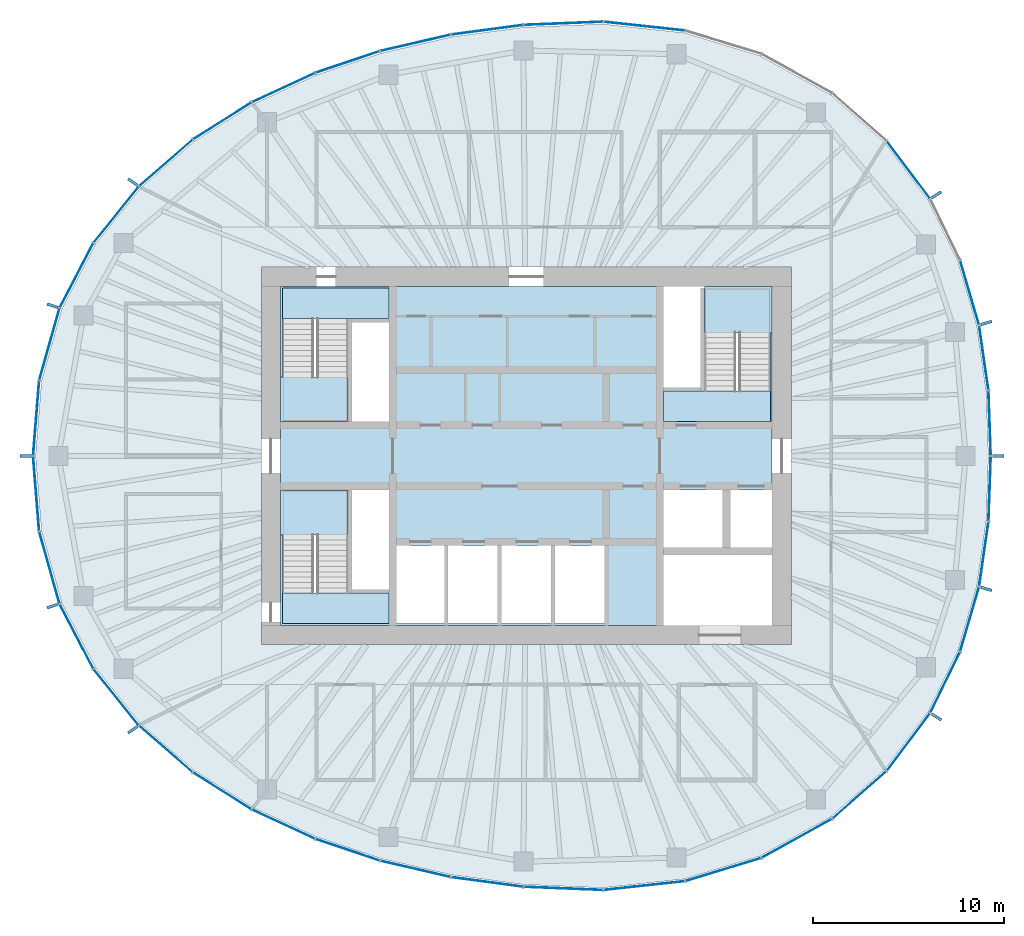
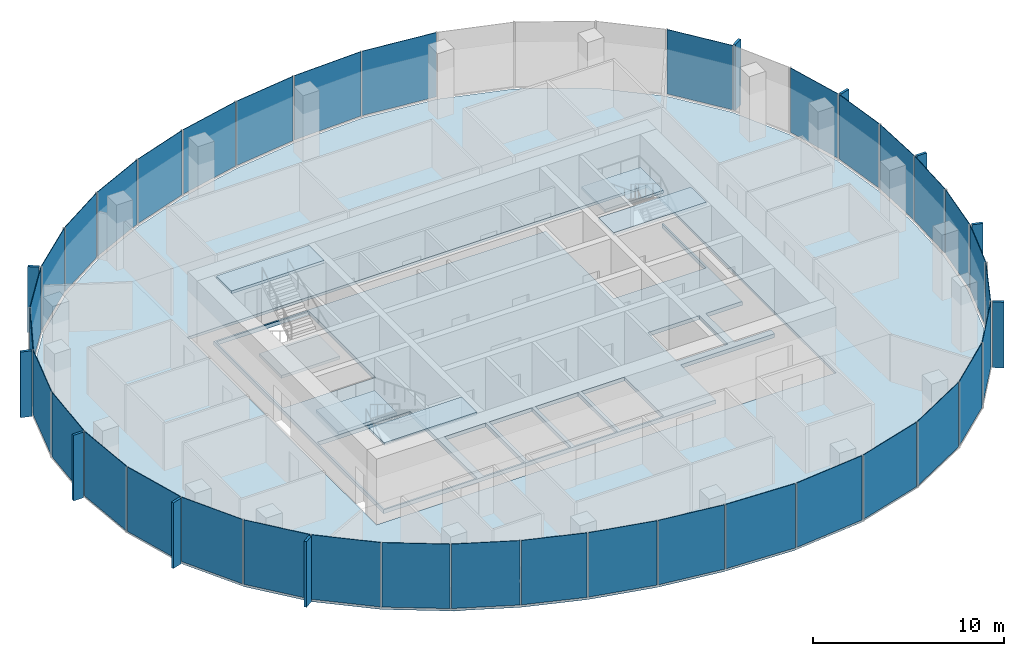
# One storey, part 7 of 12: 46 plates, 8 slabs, 22 elements without a shape of their own.
"""IFC4 building model written with IfcOpenShell, lengths in metres."""

from ifc_helpers import new_model, si_unit, direction, frame, origin, origin_2d, place, context, subcontext, project, spatial, polyline, rectangle, outline, extrude, material, layer, layer_set, type_object, element, aggregate, save


model = new_model("IFC4")

# Units and contexts
model_context = context("Model", 3, precision=1e-05, world=origin(), true_north=direction((0.0, 1.0)))
body_context = subcontext(model_context, "Body", "Model", "MODEL_VIEW")
ifc_project = project(units=[si_unit("LENGTHUNIT", "METRE"), si_unit("AREAUNIT", "SQUARE_METRE"), si_unit("VOLUMEUNIT", "CUBIC_METRE"), si_unit("PLANEANGLEUNIT", "RADIAN"), si_unit("MASSUNIT", "GRAM", prefix="KILO")], contexts=[model_context])

# Site, building, storey
site_placement = place(None, origin())
site = spatial("IfcSite", under=ifc_project, at=site_placement, CompositionType="ELEMENT")
building_placement = place(site_placement, origin())
building = spatial("IfcBuilding", under=site, at=building_placement, Name="Ghaith Harvest Tower", CompositionType="ELEMENT")
storey_placement = place(building_placement, frame((0.0, 0.0, 304.800048828125)))
storey = spatial("IfcBuildingStorey", under=building, at=storey_placement, Name="L68", CompositionType="ELEMENT", Elevation=304.800048828125)

# Curtain wall, plates
ifc_material_1 = material(Name="Black anodised aluminium and fritted glass", Category="aluminium")
curtain_wall_type = type_object("IfcCurtainWallType", Name="CW-T CURTAIN WALL", PredefinedType="NOTDEFINED", material=ifc_material_1)
curtain_wall_1_placement = place(storey_placement, origin())
curtain_wall_1 = element("IfcCurtainWall", 1, at=curtain_wall_1_placement, inside=storey, type_object=curtain_wall_type, Name="Curtain wall CW-T bay 01 L68", PredefinedType="NOTDEFINED")
ifc_material_2 = material(Name="Glass, dark solar-control fritted double glazed unit", Category="glass")
ifc_layer_1 = layer(ifc_material_2, 0.033935546875)
ifc_layer_set_1 = layer_set([ifc_layer_1], Name="CW-T VISION PANEL")
plate_type_1 = type_object("IfcPlateType", Name="CW-T VISION PANEL", PredefinedType="CURTAIN_PANEL", material=ifc_layer_set_1)
plate_1_placement = place(storey_placement, frame((24.308837890625, 1.716796875, 0.079833984375), z_axis=(0.0, 0.0, 1.0), x_axis=(-0.035536161859, 0.999368391135, 0.0)))
plate_1 = element("IfcPlate", 2, at=plate_1_placement, type_object=plate_type_1, Name="CW-T glass unit 1 bay 01 L68", PredefinedType="CURTAIN_PANEL", context=body_context, shape_type="SweptSolid", body=[
    extrude(rectangle(XDim=3.35595703125, YDim=0.033935546875, at=origin_2d()), origin(), (0.0, 0.0, 1.0), 4.1201171875),
])
plate_2_placement = place(storey_placement, frame((24.00048828125, 5.1494140625, 0.079833984375), z_axis=(0.0, 0.0, 1.0), x_axis=(-0.142729771229, 0.989761694755, 0.0)))
plate_2 = element("IfcPlate", 3, at=plate_2_placement, type_object=plate_type_1, Name="CW-T glass unit 2 bay 01 L68", PredefinedType="CURTAIN_PANEL", context=body_context, shape_type="SweptSolid", body=[
    extrude(rectangle(XDim=3.38671875, YDim=0.033935546875, at=origin_2d()), origin(), (0.0, 0.0, 1.0), 4.1201171875),
])
aggregate(curtain_wall_1, [plate_1, plate_2])

# Curtain wall, plate
curtain_wall_2_placement = place(storey_placement, origin())
curtain_wall_2 = element("IfcCurtainWall", 4, at=curtain_wall_2_placement, inside=storey, type_object=curtain_wall_type, Name="Curtain wall CW-T bay 02 L68", PredefinedType="NOTDEFINED")
plate_3_placement = place(storey_placement, frame((23.253662109375, 8.56884765625, 0.079833984375), z_axis=(0.0, 0.0, 1.0), x_axis=(-0.281344622776, 0.959606796159, 0.0)))
plate_3 = element("IfcPlate", 5, at=plate_3_placement, type_object=plate_type_1, Name="CW-T glass unit 1 bay 02 L68", PredefinedType="CURTAIN_PANEL", context=body_context, shape_type="SweptSolid", body=[
    extrude(rectangle(XDim=3.470703125, YDim=0.033935546875, at=origin_2d()), origin(), (0.0, 0.0, 1.0), 4.1201171875),
])
aggregate(curtain_wall_2, [plate_3])

curtain_wall_3_placement = place(storey_placement, origin())
curtain_wall_3 = element("IfcCurtainWall", 6, at=curtain_wall_3_placement, inside=storey, type_object=curtain_wall_type, Name="Curtain wall CW-T bay 03 L68", PredefinedType="NOTDEFINED")
plate_4_placement = place(storey_placement, frame((20.045166015625, 15.006103515625, 0.079833984375), z_axis=(0.0, 0.0, 1.0), x_axis=(-0.601047892764, 0.799213007029, 0.0)))
plate_4 = element("IfcPlate", 7, at=plate_4_placement, type_object=plate_type_1, Name="CW-T glass unit 1 bay 03 L68", PredefinedType="CURTAIN_PANEL", context=body_context, shape_type="SweptSolid", body=[
    extrude(rectangle(XDim=3.7265625, YDim=0.033935546875, at=origin_2d()), origin(), (0.0, 0.0, 1.0), 4.1201171875),
])
aggregate(curtain_wall_3, [plate_4])

# Curtain wall, plates
curtain_wall_4_placement = place(storey_placement, origin())
curtain_wall_4 = element("IfcCurtainWall", 8, at=curtain_wall_4_placement, inside=storey, type_object=curtain_wall_type, Name="Curtain wall CW-T bay 05 L68", PredefinedType="NOTDEFINED")
plate_5_placement = place(storey_placement, frame((6.188720703125, 22.542724609375, 0.079833984375), z_axis=(0.0, 0.0, 1.0), x_axis=(-0.994142883447, 0.108073712304, 0.0)))
plate_5 = element("IfcPlate", 9, at=plate_5_placement, type_object=plate_type_1, Name="CW-T glass unit 1 bay 05 L68", PredefinedType="CURTAIN_PANEL", context=body_context, shape_type="SweptSolid", body=[
    extrude(rectangle(XDim=4.24755859375, YDim=0.033935546875, at=origin_2d()), origin(), (0.0, 0.0, 1.0), 4.1201171875),
])
plate_6_placement = place(storey_placement, frame((1.94140625, 22.691162109375, 0.079833984375), z_axis=(0.0, 0.0, 1.0), x_axis=(-0.999173925852, -0.040638231968, 0.0)))
plate_6 = element("IfcPlate", 10, at=plate_6_placement, type_object=plate_type_1, Name="CW-T glass unit 2 bay 05 L68", PredefinedType="CURTAIN_PANEL", context=body_context, shape_type="SweptSolid", body=[
    extrude(rectangle(XDim=4.115966796875, YDim=0.033935546875, at=origin_2d()), origin(), (0.0, 0.0, 1.0), 4.1201171875),
])
aggregate(curtain_wall_4, [plate_5, plate_6])

curtain_wall_5_placement = place(storey_placement, origin())
curtain_wall_5 = element("IfcCurtainWall", 11, at=curtain_wall_5_placement, inside=storey, type_object=curtain_wall_type, Name="Curtain wall CW-T bay 06 L68", PredefinedType="NOTDEFINED")
plate_7_placement = place(storey_placement, frame((-2.050537109375, 22.352294921875, 0.079833984375), z_axis=(0.0, 0.0, 1.0), x_axis=(-0.991165262661, -0.132632658474, 0.0)))
plate_7 = element("IfcPlate", 12, at=plate_7_placement, type_object=plate_type_1, Name="CW-T glass unit 1 bay 06 L68", PredefinedType="CURTAIN_PANEL", context=body_context, shape_type="SweptSolid", body=[
    extrude(rectangle(XDim=3.74560546875, YDim=0.033935546875, at=origin_2d()), origin(), (0.0, 0.0, 1.0), 4.1201171875),
])
plate_8_placement = place(storey_placement, frame((-5.80859375, 21.66845703125, 0.079833984375), z_axis=(0.0, 0.0, 1.0), x_axis=(-0.974342245415, -0.225071519297, 0.0)))
plate_8 = element("IfcPlate", 13, at=plate_8_placement, type_object=plate_type_1, Name="CW-T glass unit 2 bay 06 L68", PredefinedType="CURTAIN_PANEL", context=body_context, shape_type="SweptSolid", body=[
    extrude(rectangle(XDim=3.742431640625, YDim=0.033935546875, at=origin_2d()), origin(), (0.0, 0.0, 1.0), 4.1201171875),
])
aggregate(curtain_wall_5, [plate_7, plate_8])

curtain_wall_6_placement = place(storey_placement, origin())
curtain_wall_6 = element("IfcCurtainWall", 14, at=curtain_wall_6_placement, inside=storey, type_object=curtain_wall_type, Name="Curtain wall CW-T bay 07 L68", PredefinedType="NOTDEFINED")
plate_9_placement = place(storey_placement, frame((-9.369140625, 20.665771484375, 0.079833984375), z_axis=(0.0, 0.0, 1.0), x_axis=(-0.947586403329, -0.319499621637, 0.0)))
plate_9 = element("IfcPlate", 15, at=plate_9_placement, type_object=plate_type_1, Name="CW-T glass unit 1 bay 07 L68", PredefinedType="CURTAIN_PANEL", context=body_context, shape_type="SweptSolid", body=[
    extrude(rectangle(XDim=3.50439453125, YDim=0.033935546875, at=origin_2d()), origin(), (0.0, 0.0, 1.0), 4.1201171875),
])
plate_10_placement = place(storey_placement, frame((-12.736083984375, 19.3203125, 0.079833984375), z_axis=(0.0, 0.0, 1.0), x_axis=(-0.907450165401, -0.420159728334, 0.0)))
plate_10 = element("IfcPlate", 16, at=plate_10_placement, type_object=plate_type_1, Name="CW-T glass unit 2 bay 07 L68", PredefinedType="CURTAIN_PANEL", context=body_context, shape_type="SweptSolid", body=[
    extrude(rectangle(XDim=3.597900390625, YDim=0.033935546875, at=origin_2d()), origin(), (0.0, 0.0, 1.0), 4.1201171875),
])
aggregate(curtain_wall_6, [plate_9, plate_10])

curtain_wall_7_placement = place(storey_placement, origin())
curtain_wall_7 = element("IfcCurtainWall", 17, at=curtain_wall_7_placement, inside=storey, type_object=curtain_wall_type, Name="Curtain wall CW-T bay 08 L68", PredefinedType="NOTDEFINED")
plate_11_placement = place(storey_placement, frame((-15.94970703125, 17.57421875, 0.079833984375), z_axis=(0.0, 0.0, 1.0), x_axis=(-0.846043473903, -0.533113909279, 0.0)))
plate_11 = element("IfcPlate", 18, at=plate_11_placement, type_object=plate_type_1, Name="CW-T glass unit 1 bay 08 L68", PredefinedType="CURTAIN_PANEL", context=body_context, shape_type="SweptSolid", body=[
    extrude(rectangle(XDim=3.572021484375, YDim=0.033935546875, at=origin_2d()), origin(), (0.0, 0.0, 1.0), 4.1201171875),
])
plate_12_placement = place(storey_placement, frame((-18.909423828125, 15.371337890625, 0.079833984375), z_axis=(0.0, 0.0, 1.0), x_axis=(-0.754828549513, -0.655922145411, 0.0)))
plate_12 = element("IfcPlate", 19, at=plate_12_placement, type_object=plate_type_1, Name="CW-T glass unit 2 bay 08 L68", PredefinedType="CURTAIN_PANEL", context=body_context, shape_type="SweptSolid", body=[
    extrude(rectangle(XDim=3.668701171875, YDim=0.033935546875, at=origin_2d()), origin(), (0.0, 0.0, 1.0), 4.1201171875),
])
aggregate(curtain_wall_7, [plate_11, plate_12])

curtain_wall_8_placement = place(storey_placement, origin())
curtain_wall_8 = element("IfcCurtainWall", 20, at=curtain_wall_8_placement, inside=storey, type_object=curtain_wall_type, Name="Curtain wall CW-T bay 09 L68", PredefinedType="NOTDEFINED")
plate_13_placement = place(storey_placement, frame((-21.515380859375, 12.6591796875, 0.079833984375), z_axis=(0.0, 0.0, 1.0), x_axis=(-0.626229505742, -0.779638766441, 0.0)))
plate_13 = element("IfcPlate", 21, at=plate_13_placement, type_object=plate_type_1, Name="CW-T glass unit 1 bay 09 L68", PredefinedType="CURTAIN_PANEL", context=body_context, shape_type="SweptSolid", body=[
    extrude(rectangle(XDim=3.723388671875, YDim=0.033935546875, at=origin_2d()), origin(), (0.0, 0.0, 1.0), 4.1201171875),
])
plate_14_placement = place(storey_placement, frame((-23.594482421875, 9.4677734375, 0.079833984375), z_axis=(0.0, 0.0, 1.0), x_axis=(-0.461229945578, -0.887280641794, 0.0)))
plate_14 = element("IfcPlate", 22, at=plate_14_placement, type_object=plate_type_1, Name="CW-T glass unit 2 bay 09 L68", PredefinedType="CURTAIN_PANEL", context=body_context, shape_type="SweptSolid", body=[
    extrude(rectangle(XDim=3.771728515625, YDim=0.033935546875, at=origin_2d()), origin(), (0.0, 0.0, 1.0), 4.1201171875),
])
aggregate(curtain_wall_8, [plate_13, plate_14])

curtain_wall_9_placement = place(storey_placement, origin())
curtain_wall_9 = element("IfcCurtainWall", 23, at=curtain_wall_9_placement, inside=storey, type_object=curtain_wall_type, Name="Curtain wall CW-T bay 10 L68", PredefinedType="NOTDEFINED")
plate_15_placement = place(storey_placement, frame((-25.017333984375, 5.85546875, 0.079833984375), z_axis=(0.0, 0.0, 1.0), x_axis=(-0.270355239749, -0.962760637095, 0.0)))
plate_15 = element("IfcPlate", 24, at=plate_15_placement, type_object=plate_type_1, Name="CW-T glass unit 1 bay 10 L68", PredefinedType="CURTAIN_PANEL", context=body_context, shape_type="SweptSolid", body=[
    extrude(rectangle(XDim=3.874267578125, YDim=0.033935546875, at=origin_2d()), origin(), (0.0, 0.0, 1.0), 4.1201171875),
])
plate_16_placement = place(storey_placement, frame((-25.7109375, 1.97607421875, 0.079833984375), z_axis=(0.0, 0.0, 1.0), x_axis=(-0.080257648011, -0.99677415192, 0.0)))
plate_16 = element("IfcPlate", 25, at=plate_16_placement, type_object=plate_type_1, Name="CW-T glass unit 2 bay 10 L68", PredefinedType="CURTAIN_PANEL", context=body_context, shape_type="SweptSolid", body=[
    extrude(rectangle(XDim=3.884765625, YDim=0.033935546875, at=origin_2d()), origin(), (0.0, 0.0, 1.0), 4.1201171875),
])
aggregate(curtain_wall_9, [plate_15, plate_16])

curtain_wall_10_placement = place(storey_placement, origin())
curtain_wall_10 = element("IfcCurtainWall", 26, at=curtain_wall_10_placement, inside=storey, type_object=curtain_wall_type, Name="Curtain wall CW-T bay 11 L68", PredefinedType="NOTDEFINED")
plate_17_placement = place(storey_placement, frame((-25.7109375, -1.97607421875, 0.079833984375), z_axis=(0.0, 0.0, 1.0), x_axis=(0.080257648324, -0.996774151895, 0.0)))
plate_17 = element("IfcPlate", 27, at=plate_17_placement, type_object=plate_type_1, Name="CW-T glass unit 1 bay 11 L68", PredefinedType="CURTAIN_PANEL", context=body_context, shape_type="SweptSolid", body=[
    extrude(rectangle(XDim=3.884765625, YDim=0.033935546875, at=origin_2d()), origin(), (0.0, 0.0, 1.0), 4.1201171875),
])
plate_18_placement = place(storey_placement, frame((-25.017333984375, -5.85546875, 0.079833984375), z_axis=(0.0, 0.0, 1.0), x_axis=(0.27035523953, -0.962760637157, 0.0)))
plate_18 = element("IfcPlate", 28, at=plate_18_placement, type_object=plate_type_1, Name="CW-T glass unit 2 bay 11 L68", PredefinedType="CURTAIN_PANEL", context=body_context, shape_type="SweptSolid", body=[
    extrude(rectangle(XDim=3.874267578125, YDim=0.033935546875, at=origin_2d()), origin(), (0.0, 0.0, 1.0), 4.1201171875),
])
aggregate(curtain_wall_10, [plate_17, plate_18])

curtain_wall_11_placement = place(storey_placement, origin())
curtain_wall_11 = element("IfcCurtainWall", 29, at=curtain_wall_11_placement, inside=storey, type_object=curtain_wall_type, Name="Curtain wall CW-T bay 12 L68", PredefinedType="NOTDEFINED")
plate_19_placement = place(storey_placement, frame((-23.594482421875, -9.4677734375, 0.079833984375), z_axis=(0.0, 0.0, 1.0), x_axis=(0.461229945377, -0.887280641898, 0.0)))
plate_19 = element("IfcPlate", 30, at=plate_19_placement, type_object=plate_type_1, Name="CW-T glass unit 1 bay 12 L68", PredefinedType="CURTAIN_PANEL", context=body_context, shape_type="SweptSolid", body=[
    extrude(rectangle(XDim=3.771728515625, YDim=0.033935546875, at=origin_2d()), origin(), (0.0, 0.0, 1.0), 4.1201171875),
])
plate_20_placement = place(storey_placement, frame((-21.515380859375, -12.6591796875, 0.079833984375), z_axis=(0.0, 0.0, 1.0), x_axis=(0.626229505565, -0.779638766583, 0.0)))
plate_20 = element("IfcPlate", 31, at=plate_20_placement, type_object=plate_type_1, Name="CW-T glass unit 2 bay 12 L68", PredefinedType="CURTAIN_PANEL", context=body_context, shape_type="SweptSolid", body=[
    extrude(rectangle(XDim=3.723388671875, YDim=0.033935546875, at=origin_2d()), origin(), (0.0, 0.0, 1.0), 4.1201171875),
])
aggregate(curtain_wall_11, [plate_19, plate_20])

curtain_wall_12_placement = place(storey_placement, origin())
curtain_wall_12 = element("IfcCurtainWall", 32, at=curtain_wall_12_placement, inside=storey, type_object=curtain_wall_type, Name="Curtain wall CW-T bay 13 L68", PredefinedType="NOTDEFINED")
plate_21_placement = place(storey_placement, frame((-18.909423828125, -15.371337890625, 0.079833984375), z_axis=(0.0, 0.0, 1.0), x_axis=(0.754828549376, -0.655922145569, 0.0)))
plate_21 = element("IfcPlate", 33, at=plate_21_placement, type_object=plate_type_1, Name="CW-T glass unit 1 bay 13 L68", PredefinedType="CURTAIN_PANEL", context=body_context, shape_type="SweptSolid", body=[
    extrude(rectangle(XDim=3.668701171875, YDim=0.033935546875, at=origin_2d()), origin(), (0.0, 0.0, 1.0), 4.1201171875),
])
plate_22_placement = place(storey_placement, frame((-15.94970703125, -17.57421875, 0.079833984375), z_axis=(0.0, 0.0, 1.0), x_axis=(0.846043474052, -0.533113909042, 0.0)))
plate_22 = element("IfcPlate", 34, at=plate_22_placement, type_object=plate_type_1, Name="CW-T glass unit 2 bay 13 L68", PredefinedType="CURTAIN_PANEL", context=body_context, shape_type="SweptSolid", body=[
    extrude(rectangle(XDim=3.572021484375, YDim=0.033935546875, at=origin_2d()), origin(), (0.0, 0.0, 1.0), 4.1201171875),
])
aggregate(curtain_wall_12, [plate_21, plate_22])

curtain_wall_13_placement = place(storey_placement, origin())
curtain_wall_13 = element("IfcCurtainWall", 35, at=curtain_wall_13_placement, inside=storey, type_object=curtain_wall_type, Name="Curtain wall CW-T bay 14 L68", PredefinedType="NOTDEFINED")
plate_23_placement = place(storey_placement, frame((-12.736083984375, -19.3203125, 0.079833984375), z_axis=(0.0, 0.0, 1.0), x_axis=(0.907450165812, -0.420159727447, 0.0)))
plate_23 = element("IfcPlate", 36, at=plate_23_placement, type_object=plate_type_1, Name="CW-T glass unit 1 bay 14 L68", PredefinedType="CURTAIN_PANEL", context=body_context, shape_type="SweptSolid", body=[
    extrude(rectangle(XDim=3.597900390625, YDim=0.033935546875, at=origin_2d()), origin(), (0.0, 0.0, 1.0), 4.1201171875),
])
plate_24_placement = place(storey_placement, frame((-9.369140625, -20.665771484375, 0.079833984375), z_axis=(0.0, 0.0, 1.0), x_axis=(0.947586403597, -0.319499620843, 0.0)))
plate_24 = element("IfcPlate", 37, at=plate_24_placement, type_object=plate_type_1, Name="CW-T glass unit 2 bay 14 L68", PredefinedType="CURTAIN_PANEL", context=body_context, shape_type="SweptSolid", body=[
    extrude(rectangle(XDim=3.50439453125, YDim=0.033935546875, at=origin_2d()), origin(), (0.0, 0.0, 1.0), 4.1201171875),
])
aggregate(curtain_wall_13, [plate_23, plate_24])

curtain_wall_14_placement = place(storey_placement, origin())
curtain_wall_14 = element("IfcCurtainWall", 38, at=curtain_wall_14_placement, inside=storey, type_object=curtain_wall_type, Name="Curtain wall CW-T bay 15 L68", PredefinedType="NOTDEFINED")
plate_25_placement = place(storey_placement, frame((-5.80859375, -21.66845703125, 0.079833984375), z_axis=(0.0, 0.0, 1.0), x_axis=(0.974342245521, -0.225071518838, 0.0)))
plate_25 = element("IfcPlate", 39, at=plate_25_placement, type_object=plate_type_1, Name="CW-T glass unit 1 bay 15 L68", PredefinedType="CURTAIN_PANEL", context=body_context, shape_type="SweptSolid", body=[
    extrude(rectangle(XDim=3.742431640625, YDim=0.033935546875, at=origin_2d()), origin(), (0.0, 0.0, 1.0), 4.1201171875),
])
plate_26_placement = place(storey_placement, frame((-2.050537109375, -22.352294921875, 0.079833984375), z_axis=(0.0, 0.0, 1.0), x_axis=(0.991165262684, -0.132632658301, 0.0)))
plate_26 = element("IfcPlate", 40, at=plate_26_placement, type_object=plate_type_1, Name="CW-T glass unit 2 bay 15 L68", PredefinedType="CURTAIN_PANEL", context=body_context, shape_type="SweptSolid", body=[
    extrude(rectangle(XDim=3.74560546875, YDim=0.033935546875, at=origin_2d()), origin(), (0.0, 0.0, 1.0), 4.1201171875),
])
aggregate(curtain_wall_14, [plate_25, plate_26])

curtain_wall_15_placement = place(storey_placement, origin())
curtain_wall_15 = element("IfcCurtainWall", 41, at=curtain_wall_15_placement, inside=storey, type_object=curtain_wall_type, Name="Curtain wall CW-T bay 16 L68", PredefinedType="NOTDEFINED")
plate_27_placement = place(storey_placement, frame((1.94140625, -22.691162109375, 0.079833984375), z_axis=(0.0, 0.0, 1.0), x_axis=(0.999173925863, -0.040638231706, 0.0)))
plate_27 = element("IfcPlate", 42, at=plate_27_placement, type_object=plate_type_1, Name="CW-T glass unit 1 bay 16 L68", PredefinedType="CURTAIN_PANEL", context=body_context, shape_type="SweptSolid", body=[
    extrude(rectangle(XDim=4.115966796875, YDim=0.033935546875, at=origin_2d()), origin(), (0.0, 0.0, 1.0), 4.1201171875),
])
plate_28_placement = place(storey_placement, frame((6.188720703125, -22.542724609375, 0.079833984375), z_axis=(0.0, 0.0, 1.0), x_axis=(0.994142883417, 0.108073712581, 0.0)))
plate_28 = element("IfcPlate", 43, at=plate_28_placement, type_object=plate_type_1, Name="CW-T glass unit 2 bay 16 L68", PredefinedType="CURTAIN_PANEL", context=body_context, shape_type="SweptSolid", body=[
    extrude(rectangle(XDim=4.24755859375, YDim=0.033935546875, at=origin_2d()), origin(), (0.0, 0.0, 1.0), 4.1201171875),
])
aggregate(curtain_wall_15, [plate_27, plate_28])

curtain_wall_16_placement = place(storey_placement, origin())
curtain_wall_16 = element("IfcCurtainWall", 44, at=curtain_wall_16_placement, inside=storey, type_object=curtain_wall_type, Name="Curtain wall CW-T bay 17 L68", PredefinedType="NOTDEFINED")
plate_29_placement = place(storey_placement, frame((10.337158203125, -21.700439453125, 0.079833984375), z_axis=(0.0, 0.0, 1.0), x_axis=(0.956587736012, 0.291444511548, 0.0)))
plate_29 = element("IfcPlate", 45, at=plate_29_placement, type_object=plate_type_1, Name="CW-T glass unit 1 bay 17 L68", PredefinedType="CURTAIN_PANEL", context=body_context, shape_type="SweptSolid", body=[
    extrude(rectangle(XDim=4.095703125, YDim=0.033935546875, at=origin_2d()), origin(), (0.0, 0.0, 1.0), 4.1201171875),
])
plate_30_placement = place(storey_placement, frame((14.19189453125, -20.06201171875, 0.079833984375), z_axis=(0.0, 0.0, 1.0), x_axis=(0.874564022715, 0.484910064004, 0.0)))
plate_30 = element("IfcPlate", 46, at=plate_30_placement, type_object=plate_type_1, Name="CW-T glass unit 2 bay 17 L68", PredefinedType="CURTAIN_PANEL", context=body_context, shape_type="SweptSolid", body=[
    extrude(rectangle(XDim=4.167724609375, YDim=0.033935546875, at=origin_2d()), origin(), (0.0, 0.0, 1.0), 4.1201171875),
])
aggregate(curtain_wall_16, [plate_29, plate_30])

curtain_wall_17_placement = place(storey_placement, origin())
curtain_wall_17 = element("IfcCurtainWall", 47, at=curtain_wall_17_placement, inside=storey, type_object=curtain_wall_type, Name="Curtain wall CW-T bay 18 L68", PredefinedType="NOTDEFINED")
plate_31_placement = place(storey_placement, frame((17.47509765625, -17.779541015625, 0.079833984375), z_axis=(0.0, 0.0, 1.0), x_axis=(0.751334532577, 0.659921525757, 0.0)))
plate_31 = element("IfcPlate", 48, at=plate_31_placement, type_object=plate_type_1, Name="CW-T glass unit 1 bay 18 L68", PredefinedType="CURTAIN_PANEL", context=body_context, shape_type="SweptSolid", body=[
    extrude(rectangle(XDim=3.7158203125, YDim=0.033935546875, at=origin_2d()), origin(), (0.0, 0.0, 1.0), 4.1201171875),
])
plate_32_placement = place(storey_placement, frame((20.045166015625, -15.006103515625, 0.079833984375), z_axis=(0.0, 0.0, 1.0), x_axis=(0.601047892945, 0.799213006892, 0.0)))
plate_32 = element("IfcPlate", 49, at=plate_32_placement, type_object=plate_type_1, Name="CW-T glass unit 2 bay 18 L68", PredefinedType="CURTAIN_PANEL", context=body_context, shape_type="SweptSolid", body=[
    extrude(rectangle(XDim=3.7265625, YDim=0.033935546875, at=origin_2d()), origin(), (0.0, 0.0, 1.0), 4.1201171875),
])
aggregate(curtain_wall_17, [plate_31, plate_32])

curtain_wall_18_placement = place(storey_placement, origin())
curtain_wall_18 = element("IfcCurtainWall", 50, at=curtain_wall_18_placement, inside=storey, type_object=curtain_wall_type, Name="Curtain wall CW-T bay 19 L68", PredefinedType="NOTDEFINED")
plate_33_placement = place(storey_placement, frame((21.9716796875, -11.878662109375, 0.079833984375), z_axis=(0.0, 0.0, 1.0), x_axis=(0.437968365352, 0.898990384237, 0.0)))
plate_33 = element("IfcPlate", 51, at=plate_33_placement, type_object=plate_type_1, Name="CW-T glass unit 1 bay 19 L68", PredefinedType="CURTAIN_PANEL", context=body_context, shape_type="SweptSolid", body=[
    extrude(rectangle(XDim=3.49365234375, YDim=0.033935546875, at=origin_2d()), origin(), (0.0, 0.0, 1.0), 4.1201171875),
])
plate_34_placement = place(storey_placement, frame((23.253662109375, -8.56884765625, 0.079833984375), z_axis=(0.0, 0.0, 1.0), x_axis=(0.281344622977, 0.9596067961, 0.0)))
plate_34 = element("IfcPlate", 52, at=plate_34_placement, type_object=plate_type_1, Name="CW-T glass unit 2 bay 19 L68", PredefinedType="CURTAIN_PANEL", context=body_context, shape_type="SweptSolid", body=[
    extrude(rectangle(XDim=3.470703125, YDim=0.033935546875, at=origin_2d()), origin(), (0.0, 0.0, 1.0), 4.1201171875),
])
aggregate(curtain_wall_18, [plate_33, plate_34])

curtain_wall_19_placement = place(storey_placement, origin())
curtain_wall_19 = element("IfcCurtainWall", 53, at=curtain_wall_19_placement, inside=storey, type_object=curtain_wall_type, Name="Curtain wall CW-T bay 20 L68", PredefinedType="NOTDEFINED")
plate_35_placement = place(storey_placement, frame((24.00048828125, -5.1494140625, 0.079833984375), z_axis=(0.0, 0.0, 1.0), x_axis=(0.142729771402, 0.98976169473, 0.0)))
plate_35 = element("IfcPlate", 54, at=plate_35_placement, type_object=plate_type_1, Name="CW-T glass unit 1 bay 20 L68", PredefinedType="CURTAIN_PANEL", context=body_context, shape_type="SweptSolid", body=[
    extrude(rectangle(XDim=3.38671875, YDim=0.033935546875, at=origin_2d()), origin(), (0.0, 0.0, 1.0), 4.1201171875),
])
plate_36_placement = place(storey_placement, frame((24.308837890625, -1.716796875, 0.079833984375), z_axis=(0.0, 0.0, 1.0), x_axis=(0.035536161929, 0.999368391133, 0.0)))
plate_36 = element("IfcPlate", 55, at=plate_36_placement, type_object=plate_type_1, Name="CW-T glass unit 2 bay 20 L68", PredefinedType="CURTAIN_PANEL", context=body_context, shape_type="SweptSolid", body=[
    extrude(rectangle(XDim=3.35595703125, YDim=0.033935546875, at=origin_2d()), origin(), (0.0, 0.0, 1.0), 4.1201171875),
])
aggregate(curtain_wall_19, [plate_35, plate_36])

# Slabs
ifc_material_3 = material(Name="Concrete C40/50", Category="concrete")
ifc_layer_2 = layer(ifc_material_3, 0.169921875)
ifc_layer_set_2 = layer_set([ifc_layer_2], Name="FLOOR SLAB 170")
slab_type_1 = type_object("IfcSlabType", Name="FLOOR SLAB 170", PredefinedType="FLOOR", material=ifc_layer_set_2)
slab_1_placement = place(storey_placement, frame((0.0, 0.0, -0.170166015625)))
element("IfcSlab", 56, at=slab_1_placement, inside=storey, type_object=slab_type_1, Name="Floor slab L68", PredefinedType="FLOOR", context=body_context, shape_type="SweptSolid", body=[
    extrude(outline(polyline([(24.25, 0.0), (24.129150390625, 3.4169921875), (23.6376953125, 6.831787109375), (22.644775390625, 10.222900390625), (21.087890625, 13.42041015625), (18.810791015625, 16.4482421875), (15.971923828125, 18.940185546875), (12.273681640625, 20.98828125), (8.2978515625, 22.1962890625), (4.016845703125, 22.658447265625), (-0.15380859375, 22.486083984375), (-3.92529296875, 21.98046875), (-7.6298828125, 21.12548828125), (-11.009521484375, 19.98779296875), (-14.331298828125, 18.452880859375), (-17.40771484375, 16.518310546875), (-20.225830078125, 14.0732421875), (-22.5986328125, 11.12353515625), (-24.368408203125, 7.722900390625), (-25.43310546875, 3.93359375), (-25.75, 0.0), (-25.43310546875, -3.93359375), (-24.368408203125, -7.722900390625), (-22.5986328125, -11.12353515625), (-20.225830078125, -14.0732421875), (-17.40771484375, -16.518310546875), (-14.331298828125, -18.452880859375), (-11.009521484375, -19.98779296875), (-7.6298828125, -21.12548828125), (-3.92529296875, -21.98046875), (-0.15380859375, -22.486083984375), (4.016845703125, -22.658447265625), (8.2978515625, -22.1962890625), (12.273681640625, -20.98828125), (15.971923828125, -18.940185546875), (18.810791015625, -16.4482421875), (21.087890625, -13.42041015625), (22.644775390625, -10.222900390625), (23.6376953125, -6.831787109375), (24.129150390625, -3.4169921875), (24.25, 0.0)]), holes=[polyline([(-13.89990234375, -9.89990234375), (13.89990234375, -9.89990234375), (13.89990234375, 9.89990234375), (-13.89990234375, 9.89990234375), (-13.89990234375, -9.89990234375)])]), origin(), (0.0, 0.0, 1.0), 0.170166015625),
])
ifc_material_4 = material(Name="Concrete C40/50", Category="concrete")
ifc_layer_3 = layer(ifc_material_4, 0.25)
ifc_layer_set_3 = layer_set([ifc_layer_3], Name="FLOOR SLAB 250")
slab_type_2 = type_object("IfcSlabType", Name="FLOOR SLAB 250", PredefinedType="FLOOR", material=ifc_layer_set_3)
slab_2_placement = place(storey_placement, frame((0.0, 0.0, -0.25)))
element("IfcSlab", 57, at=slab_2_placement, inside=storey, type_object=slab_type_2, Name="Core slab L68", PredefinedType="FLOOR", context=body_context, shape_type="SweptSolid", body=[
    extrude(outline(polyline([(-12.89990234375, 8.89990234375), (7.199951171875, 8.89990234375), (7.199951171875, 1.800048828125), (12.800048828125, 1.800048828125), (12.800048828125, 6.4599609375), (12.89990234375, 6.4599609375), (12.89990234375, -1.800048828125), (10.699951171875, -1.800048828125), (10.699951171875, -4.800048828125), (12.89990234375, -4.800048828125), (12.89990234375, -5.199951171875), (7.199951171875, -5.199951171875), (7.199951171875, -8.89990234375), (-12.89990234375, -8.89990234375), (-12.89990234375, 8.89990234375)]), holes=[polyline([(-4.300048828125, -4.699951171875), (-6.800048828125, -4.699951171875), (-6.800048828125, -8.800048828125), (-4.300048828125, -8.800048828125), (-4.300048828125, -4.699951171875)]), polyline([(-1.5, -4.699951171875), (-4.10009765625, -4.699951171875), (-4.10009765625, -8.800048828125), (-1.5, -8.800048828125), (-1.5, -4.699951171875)]), polyline([(1.300048828125, -8.800048828125), (1.300048828125, -4.699951171875), (-1.300048828125, -4.699951171875), (-1.300048828125, -8.800048828125), (1.300048828125, -8.800048828125)]), polyline([(4.10009765625, -8.800048828125), (4.10009765625, -4.699951171875), (1.5, -4.699951171875), (1.5, -8.800048828125), (4.10009765625, -8.800048828125)]), polyline([(-7.199951171875, -1.800048828125), (-12.800048828125, -1.800048828125), (-12.800048828125, -8.800048828125), (-7.199951171875, -8.800048828125), (-7.199951171875, -1.800048828125)]), polyline([(10.300048828125, -1.800048828125), (7.199951171875, -1.800048828125), (7.199951171875, -4.800048828125), (10.300048828125, -4.800048828125), (10.300048828125, -1.800048828125)]), polyline([(-12.800048828125, 1.800048828125), (-7.199951171875, 1.800048828125), (-7.199951171875, 8.800048828125), (-12.800048828125, 8.800048828125), (-12.800048828125, 1.800048828125)])]), origin(), (0.0, 0.0, 1.0), 0.25),
])

# Stair, slabs
ifc_material_5 = material(Name="Concrete C40/50, precast", Category="concrete")
stair_type = type_object("IfcStairType", Name="CORE STAIR 24R", PredefinedType="HALF_TURN_STAIR", material=ifc_material_5)
stair_1_placement = place(storey_placement, origin())
stair_1 = element("IfcStair", 58, at=stair_1_placement, inside=storey, type_object=stair_type, Name="Stair ST1 L68", PredefinedType="HALF_TURN_STAIR")
ifc_material_6 = material(Name="Concrete C40/50, precast", Category="concrete")
ifc_layer_4 = layer(ifc_material_6, 0.179931640625)
ifc_layer_set_4 = layer_set([ifc_layer_4], Name="STAIR LANDING 180")
slab_type_3 = type_object("IfcSlabType", Name="STAIR LANDING 180", PredefinedType="LANDING", material=ifc_layer_set_4)
slab_3_placement = place(storey_placement, frame((0.0, 0.0, 1.919921875)))
slab_3 = element("IfcSlab", 59, at=slab_3_placement, type_object=slab_type_3, Name="ST1 landing 1", PredefinedType="LANDING", context=body_context, shape_type="SweptSolid", body=[
    extrude(outline(polyline([(-12.89990234375, 4.139892578125), (-12.89990234375, 1.800048828125), (-9.35009765625, 1.800048828125), (-9.35009765625, 4.139892578125), (-12.89990234375, 4.139892578125)])), origin(), (0.0, 0.0, 1.0), 0.179931640625),
])
slab_4_placement = place(storey_placement, frame((0.0, 0.0, 4.02001953125)))
slab_4 = element("IfcSlab", 60, at=slab_4_placement, type_object=slab_type_3, Name="ST1 landing 2", PredefinedType="LANDING", context=body_context, shape_type="SweptSolid", body=[
    extrude(outline(polyline([(-12.800048828125, 8.800048828125), (-12.800048828125, 7.199951171875), (-7.199951171875, 7.199951171875), (-7.199951171875, 8.800048828125), (-12.800048828125, 8.800048828125)])), origin(), (0.0, 0.0, 1.0), 0.179931640625),
])
aggregate(stair_1, [slab_3, slab_4])

stair_2_placement = place(storey_placement, origin())
stair_2 = element("IfcStair", 61, at=stair_2_placement, inside=storey, type_object=stair_type, Name="Stair ST3 L68", PredefinedType="HALF_TURN_STAIR")
slab_5_placement = place(storey_placement, frame((0.0, 0.0, 1.919921875)))
slab_5 = element("IfcSlab", 62, at=slab_5_placement, type_object=slab_type_3, Name="ST3 landing 1", PredefinedType="LANDING", context=body_context, shape_type="SweptSolid", body=[
    extrude(outline(polyline([(-12.89990234375, -4.139892578125), (-12.89990234375, -1.800048828125), (-9.35009765625, -1.800048828125), (-9.35009765625, -4.139892578125), (-12.89990234375, -4.139892578125)])), origin(), (0.0, 0.0, 1.0), 0.179931640625),
])
slab_6_placement = place(storey_placement, frame((0.0, 0.0, 4.02001953125)))
slab_6 = element("IfcSlab", 63, at=slab_6_placement, type_object=slab_type_3, Name="ST3 landing 2", PredefinedType="LANDING", context=body_context, shape_type="SweptSolid", body=[
    extrude(outline(polyline([(-12.800048828125, -8.800048828125), (-12.800048828125, -7.199951171875), (-7.199951171875, -7.199951171875), (-7.199951171875, -8.800048828125), (-12.800048828125, -8.800048828125)])), origin(), (0.0, 0.0, 1.0), 0.179931640625),
])
aggregate(stair_2, [slab_5, slab_6])

stair_3_placement = place(storey_placement, origin())
stair_3 = element("IfcStair", 64, at=stair_3_placement, inside=storey, type_object=stair_type, Name="Stair ST2 L68", PredefinedType="HALF_TURN_STAIR")
slab_7_placement = place(storey_placement, frame((0.0, 0.0, 1.919921875)))
slab_7 = element("IfcSlab", 65, at=slab_7_placement, type_object=slab_type_3, Name="ST2 landing 1", PredefinedType="LANDING", context=body_context, shape_type="SweptSolid", body=[
    extrude(outline(polyline([(12.89990234375, 6.4599609375), (12.89990234375, 8.89990234375), (9.35009765625, 8.89990234375), (9.35009765625, 6.4599609375), (12.89990234375, 6.4599609375)])), origin(), (0.0, 0.0, 1.0), 0.179931640625),
])
slab_8_placement = place(storey_placement, frame((0.0, 0.0, 4.02001953125)))
slab_8 = element("IfcSlab", 66, at=slab_8_placement, type_object=slab_type_3, Name="ST2 landing 2", PredefinedType="LANDING", context=body_context, shape_type="SweptSolid", body=[
    extrude(outline(polyline([(12.800048828125, 1.800048828125), (12.800048828125, 3.39990234375), (7.199951171875, 3.39990234375), (7.199951171875, 1.800048828125), (12.800048828125, 1.800048828125)])), origin(), (0.0, 0.0, 1.0), 0.179931640625),
])
aggregate(stair_3, [slab_7, slab_8])

# Plates
ifc_material_7 = material(Name="Glassfibre-reinforced concrete", Category="concrete")
ifc_layer_5 = layer(ifc_material_7, 0.14990234375)
ifc_layer_set_5 = layer_set([ifc_layer_5], Name="SUN-BREAKER FIN 600x150")
plate_type_2 = type_object("IfcPlateType", Name="SUN-BREAKER FIN 600x150", PredefinedType="USERDEFINED", material=ifc_layer_set_5)
for number, where, z_axis, x_axis, name in (
    (67, (24.760009765625, 0.0, 0.0), (0.0, 0.0, 1.0), (1.0, 0.0, 0.0), "Sun-breaker fin CW-T 1 bay 01 L68"),
    (68, (24.127685546875, 6.973388671875, 0.0), (0.0, 0.0, 1.0), (0.960680349985, 0.277656739792, 0.0), "Sun-breaker fin CW-T 1 bay 02 L68"),
    (69, (21.51806640625, 13.6943359375, 0.0), (0.0, 0.0, 1.0), (0.843643971464, 0.536903016766, 0.0), "Sun-breaker fin CW-T 1 bay 03 L68"),
    (70, (-20.64453125, 14.364501953125, 0.0), (0.0, 0.0, 1.0), (-0.820845486523, 0.571150319316, 0.0), "Sun-breaker fin CW-T 1 bay 09 L68"),
    (71, (-24.8544921875, 7.876708984375, 0.0), (0.0, 0.0, 1.0), (-0.953273219358, 0.302109531884, 0.0), "Sun-breaker fin CW-T 1 bay 10 L68"),
    (72, (-26.260009765625, 0.0, 0.0), (0.0, 0.0, 1.0), (-1.0, -4.19e-10, 0.0), "Sun-breaker fin CW-T 1 bay 11 L68"),
    (73, (-24.8544921875, -7.876708984375, 0.0), (0.0, 0.0, 1.0), (-0.953273219416, -0.302109531701, 0.0), "Sun-breaker fin CW-T 1 bay 12 L68"),
    (74, (-20.64453125, -14.364501953125, 0.0), (0.0, 0.0, 1.0), (-0.820845486622, -0.571150319173, 0.0), "Sun-breaker fin CW-T 1 bay 13 L68"),
    (75, (21.51806640625, -13.6943359375, 0.0), (0.0, 0.0, 1.0), (0.84364397137, -0.536903016913, 0.0), "Sun-breaker fin CW-T 1 bay 19 L68"),
    (76, (24.127685546875, -6.973388671875, 0.0), (0.0, 0.0, 1.0), (0.960680349932, -0.277656739976, 0.0), "Sun-breaker fin CW-T 1 bay 20 L68"),
):
    element("IfcPlate", number, at=place(storey_placement, frame(where, z_axis=z_axis, x_axis=x_axis)), inside=storey, type_object=plate_type_2, Name=name, ObjectType="SUN-BREAKER FIN", PredefinedType="USERDEFINED", context=body_context, shape_type="SweptSolid", body=[
        extrude(rectangle(XDim=0.60009765625, YDim=0.14990234375, at=origin_2d()), origin(), (0.0, 0.0, 1.0), 4.199951171875),
    ])

save(model, "model.ifc")
